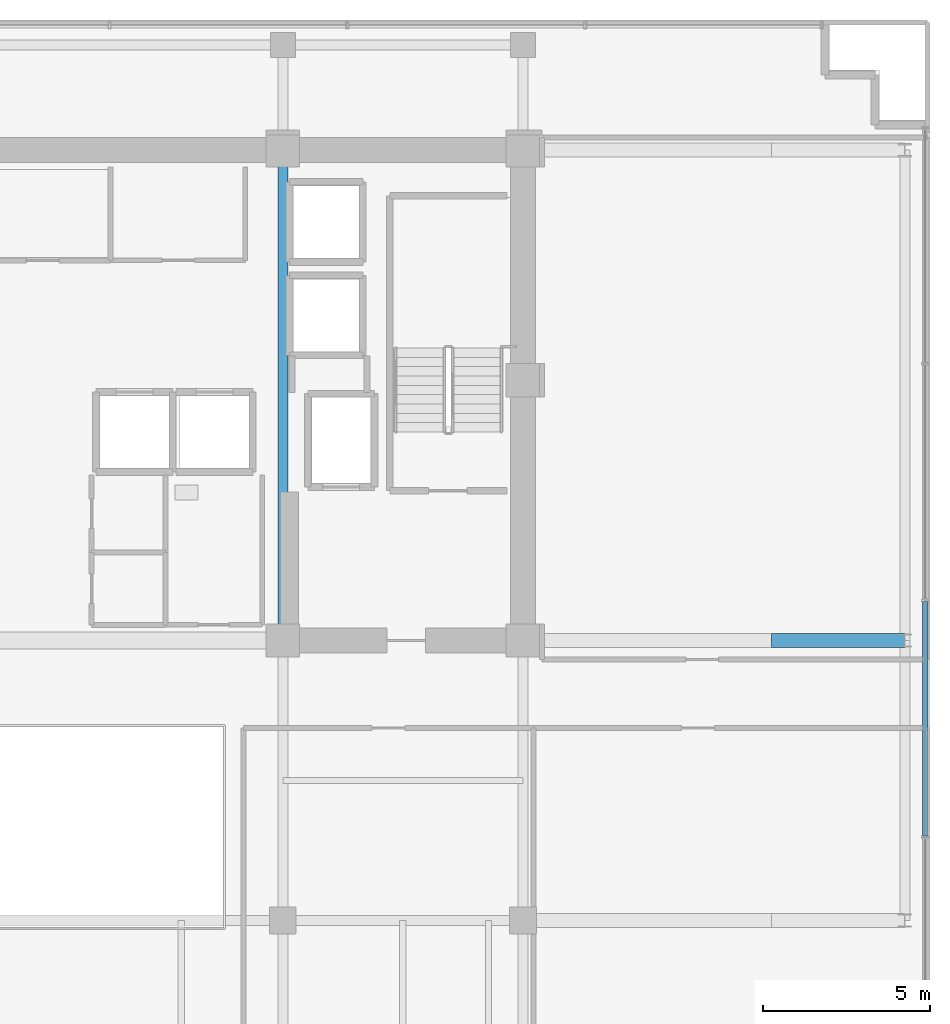
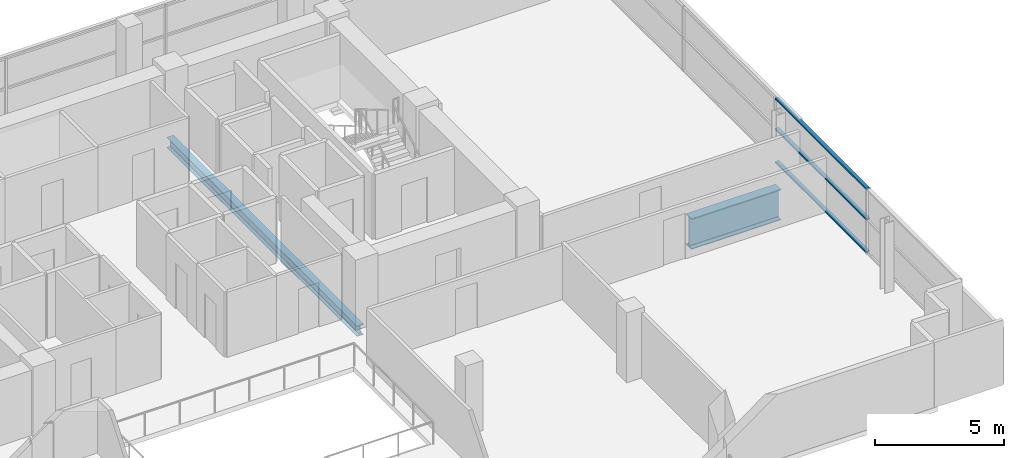
# One storey, part 8 of 23: 3 members, 2 beams, 1 element without a shape of its own.
"""IFC4 building model written with IfcOpenShell, lengths in metres."""

from ifc_helpers import new_model, si_unit, direction, frame, origin, origin_2d, place, context, subcontext, project, spatial, hollow_rectangle, i_section, extrude, source, transform, mapped, material, layer, layer_set, material_profile, profile_set, type_object, element, aggregate, save


model = new_model("IFC4")

# Units and contexts
model_context = context("Model", 3, precision=1e-05, world=origin(), true_north=direction((0.0, 1.0)))
body_context = subcontext(model_context, "Body", "Model", "MODEL_VIEW")
ifc_project = project(units=[si_unit("LENGTHUNIT", "METRE"), si_unit("AREAUNIT", "SQUARE_METRE"), si_unit("VOLUMEUNIT", "CUBIC_METRE"), si_unit("PLANEANGLEUNIT", "RADIAN"), si_unit("MASSUNIT", "GRAM", prefix="KILO")], contexts=[model_context])

# Site, building, storey
site_placement = place(None, origin())
site = spatial("IfcSite", under=ifc_project, at=site_placement, CompositionType="ELEMENT")
building_placement = place(site_placement, origin())
building = spatial("IfcBuilding", under=site, at=building_placement, Name="Zarnakvel Exchange Tower", CompositionType="ELEMENT")
storey_placement = place(building_placement, frame((0.0, 0.0, 172.60009765625)))
storey = spatial("IfcBuildingStorey", under=building, at=storey_placement, Name="L48", CompositionType="ELEMENT", Elevation=172.60009765625)

# Beams
ifc_material_1 = material(Name="Steel S355", Category="steel")
ifc_material_profile_1 = material_profile(ifc_material_1, i_section(OverallWidth=0.300048828125, OverallDepth=0.5, WebThickness=0.014404296875, FlangeThickness=0.028076171875, FilletRadius=0.027099609375, at=origin_2d()))
ifc_profile_set_1 = profile_set([ifc_material_profile_1], Name="Steel S355")
beam_type_1 = type_object("IfcBeamType", Name="G-06", PredefinedType="BEAM", material=ifc_profile_set_1)
beam_1_placement = place(storey_placement, frame((7.199951171875, -1.199951171875, -0.47509765625), z_axis=(0.0, 1.0, 0.0), x_axis=(-1.0, 0.0, 0.0)))
element("IfcBeam", 1, at=beam_1_placement, inside=storey, type_object=beam_type_1, Name="L48 Tower N-S Frame Beam", PredefinedType="BEAM", context=body_context, shape_type="SweptSolid", body=[
    extrude(i_section(OverallWidth=0.300048828125, OverallDepth=0.5, WebThickness=0.014404296875, FlangeThickness=0.028076171875, FilletRadius=0.027099609375, at=origin_2d()), origin(), (0.0, 0.0, 1.0), 14.699951171875),
])
ifc_material_2 = material(Name="Steel S460", Category="steel")
ifc_material_profile_2 = material_profile(ifc_material_2, i_section(OverallWidth=0.419921875, OverallDepth=1.449951171875, WebThickness=0.02392578125, FlangeThickness=0.0400390625, FilletRadius=0.030029296875, at=origin_2d()))
ifc_profile_set_2 = profile_set([ifc_material_profile_2], Name="Steel S460")
beam_type_2 = type_object("IfcBeamType", Name="TG-01", PredefinedType="BEAM", material=ifc_profile_set_2)
beam_2_placement = place(storey_placement, frame((21.85009765625, -1.199951171875, -0.9501953125), z_axis=(1.0, 0.0, 0.0), x_axis=(0.0, 1.0, 0.0)))
element("IfcBeam", 2, at=beam_2_placement, inside=storey, type_object=beam_type_2, Name="L48 Block-Shift Cantilever Transfer TE-D", PredefinedType="BEAM", context=body_context, shape_type="SweptSolid", body=[
    extrude(i_section(OverallWidth=0.419921875, OverallDepth=1.449951171875, WebThickness=0.02392578125, FlangeThickness=0.0400390625, FilletRadius=0.030029296875, at=origin_2d()), origin(), (0.0, 0.0, 1.0), 4.0),
])

# Curtain wall, members
ifc_material_3 = material(Name="Architectural Bronze Anodised Aluminium", Category="aluminium")
ifc_layer = layer(ifc_material_3, 0.199951171875)
ifc_layer_set = layer_set([ifc_layer], Name="Architectural Bronze Anodised Aluminium")
curtain_wall_type = type_object("IfcCurtainWallType", Name="CW-04", PredefinedType="NOTDEFINED", material=ifc_layer_set)
curtain_wall_placement = place(storey_placement, origin())
curtain_wall = element("IfcCurtainWall", 3, at=curtain_wall_placement, inside=storey, type_object=curtain_wall_type, Name="L48 Curtain Wall CW-L48-E1 (CW-04)", PredefinedType="NOTDEFINED")
ifc_material_profile_3 = material_profile(ifc_material_3, hollow_rectangle(XDim=0.159912109375, YDim=0.074951171875, WallThickness=0.00390625, at=origin_2d()))
ifc_profile_set_3 = profile_set([ifc_material_profile_3], Name="Architectural Bronze Anodised Aluminium")
member_type = type_object("IfcMemberType", Name="CWT-04", PredefinedType="USERDEFINED", material=ifc_profile_set_3)
shared_shape = source(origin(), body_context, "Body", "SweptSolid", [
    extrude(hollow_rectangle(XDim=0.159912109375, YDim=0.074951171875, WallThickness=0.00390625, at=origin_2d()), origin(), (0.0, 0.0, 1.0), 7.02490234375),
])
member_1_placement = place(storey_placement, frame((26.4599609375, -7.0625, 0.037353515625), z_axis=(0.0, 1.0, 0.0), x_axis=(-1.0, 0.0, 0.0)))
member_1 = element("IfcMember", 4, at=member_1_placement, type_object=member_type, Name="CW-04 transom 2.1", ObjectType="TRANSOM", PredefinedType="USERDEFINED", context=body_context, shape_type="MappedRepresentation", body=[
    mapped(shared_shape, transform((0.0, 0.0, 0.0), x_axis=(1.0, 0.0, 0.0), y_axis=(0.0, 1.0, 0.0), z_axis=(0.0, 0.0, 1.0), scale=1.0)),
])
member_2_placement = place(storey_placement, frame((26.4599609375, -7.0625, 1.588623046875), z_axis=(0.0, 1.0, 0.0), x_axis=(-1.0, 0.0, 0.0)))
member_2 = element("IfcMember", 5, at=member_2_placement, type_object=member_type, Name="CW-04 transom 2.2", ObjectType="TRANSOM", PredefinedType="USERDEFINED", context=body_context, shape_type="MappedRepresentation", body=[
    mapped(shared_shape, transform((0.0, 0.0, 0.0), x_axis=(1.0, 0.0, 0.0), y_axis=(0.0, 1.0, 0.0), z_axis=(0.0, 0.0, 1.0), scale=1.0)),
])
member_3_placement = place(storey_placement, frame((26.4599609375, -7.0625, 3.017333984375), z_axis=(0.0, 1.0, 0.0), x_axis=(-1.0, 0.0, 0.0)))
member_3 = element("IfcMember", 6, at=member_3_placement, type_object=member_type, Name="CW-04 transom 2.3", ObjectType="TRANSOM", PredefinedType="USERDEFINED", context=body_context, shape_type="MappedRepresentation", body=[
    mapped(shared_shape, transform((0.0, 0.0, 0.0), x_axis=(1.0, 0.0, 0.0), y_axis=(0.0, 1.0, 0.0), z_axis=(0.0, 0.0, 1.0), scale=1.0)),
])
aggregate(curtain_wall, [member_1, member_2, member_3])

save(model, "model.ifc")
